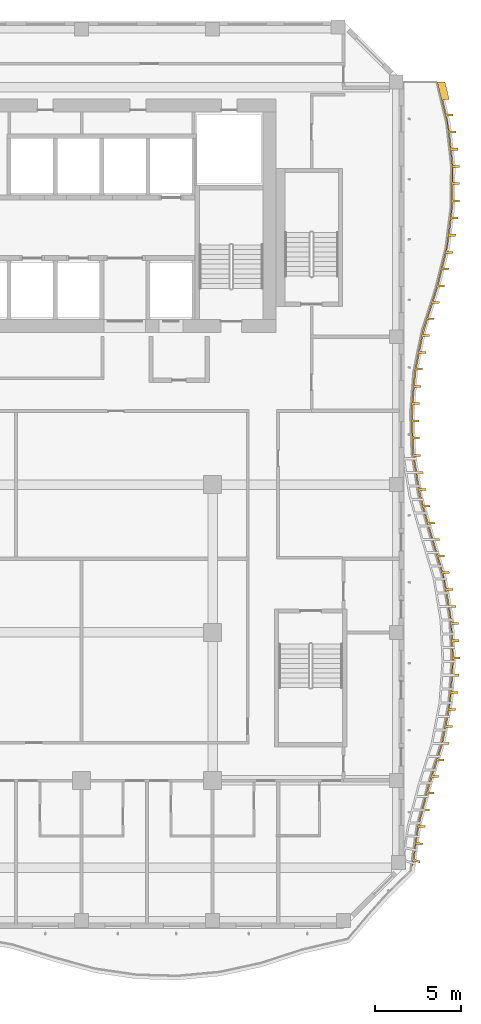
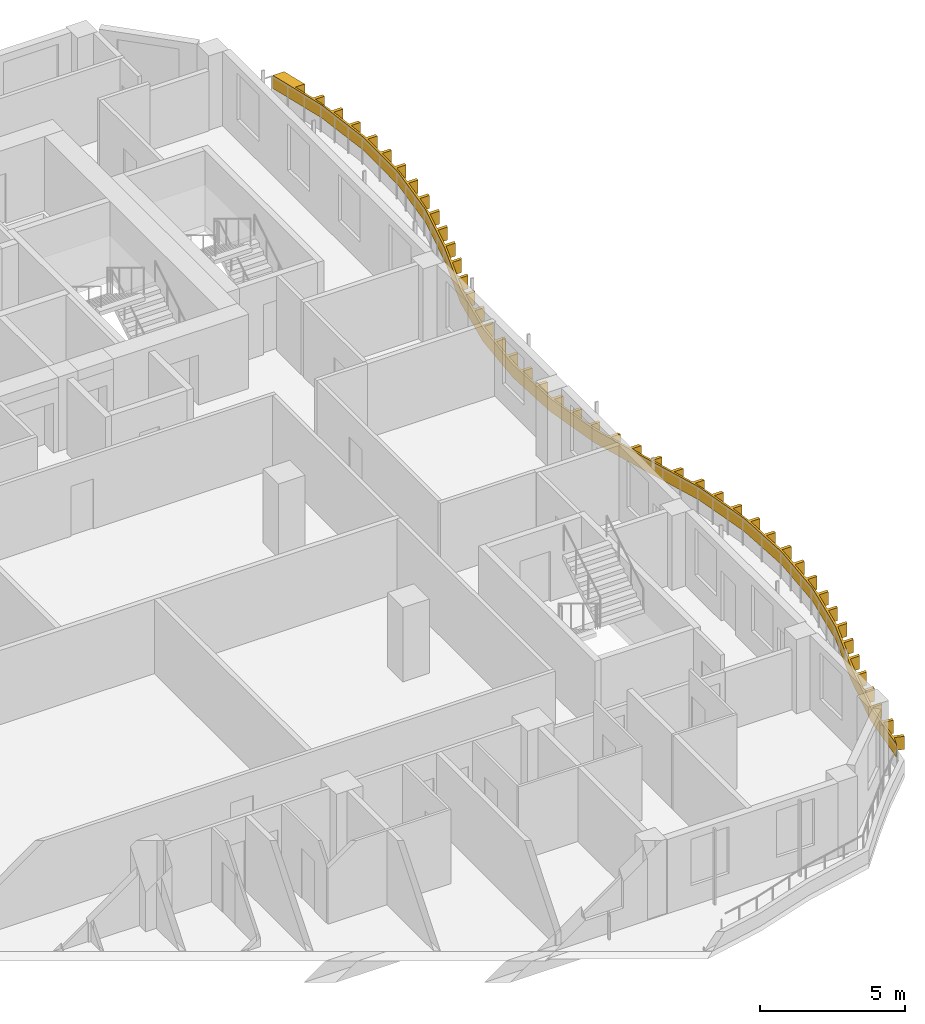
# One storey, part 19 of 22: 1 shading device.
"""IFC4 building model written with IfcOpenShell, lengths in metres."""

from ifc_helpers import new_model, si_unit, direction, frame, origin, place, context, subcontext, project, spatial, polyline, outline, extrude, source, transform, mapped, material, layer, layer_set, type_object, element, save


model = new_model("IFC4")

# Units and contexts
model_context = context("Model", 3, precision=1e-05, world=origin(), true_north=direction((0.0, 1.0)))
body_context = subcontext(model_context, "Body", "Model", "MODEL_VIEW")
ifc_project = project(units=[si_unit("LENGTHUNIT", "METRE"), si_unit("AREAUNIT", "SQUARE_METRE"), si_unit("VOLUMEUNIT", "CUBIC_METRE"), si_unit("PLANEANGLEUNIT", "RADIAN"), si_unit("MASSUNIT", "GRAM", prefix="KILO")], contexts=[model_context])

# Site, building, storey
site_placement = place(None, origin())
site = spatial("IfcSite", under=ifc_project, at=site_placement, CompositionType="ELEMENT")
building_placement = place(site_placement, origin())
building = spatial("IfcBuilding", under=site, at=building_placement, Name="Kilnfold Tower and Market Hall", CompositionType="ELEMENT")
storey_placement = place(building_placement, frame((0.0, 0.0, 188.89990234375)))
storey = spatial("IfcBuildingStorey", under=building, at=storey_placement, Name="L45", CompositionType="ELEMENT", Elevation=188.89990234375)

# Shading device
ifc_material = material(Name="Bronze anodised aluminium", Category="aluminium")
ifc_layer = layer(ifc_material, 0.550048828125)
ifc_layer_set = layer_set([ifc_layer], Name="Bronze anodised aluminium")
shading_device_type = type_object("IfcShadingDeviceType", Name="BRONZE SLAT FASCIA 550", PredefinedType="USERDEFINED", material=ifc_layer_set)
shared_shape = source(origin(), body_context, "Body", "SweptSolid", [
    extrude(outline(polyline([(26.176513671875, -22.467041015625), (25.826904296875, -22.357421875), (25.697509765625, -22.7333984375), (26.02880859375, -20.355224609375), (26.654296875, -17.96044921875), (27.41357421875, -15.56591796875), (27.87744140625, -13.171142578125), (28.048583984375, -10.7763671875), (27.934326171875, -8.381591796875), (27.52978515625, -5.98681640625), (26.816650390625, -3.592041015625), (26.128173828125, -1.197509765625), (25.74658203125, 1.197509765625), (25.654541015625, 3.592041015625), (25.847900390625, 5.98681640625), (26.335205078125, 8.381591796875), (27.105712890625, 10.7763671875), (27.706787109375, 13.171142578125), (28.00732421875, 15.56591796875), (28.020751953125, 17.96044921875), (27.74755859375, 20.355224609375), (27.175537109375, 22.75), (27.62548828125, 22.75), (27.8662109375, 21.742919921875), (27.49609375, 21.742919921875), (27.70068359375, 20.886962890625), (28.070556640625, 20.886962890625), (28.098388671875, 20.770263671875), (27.728515625, 20.770263671875), (27.87890625, 19.90478515625), (28.2490234375, 19.90478515625), (28.2626953125, 19.78564453125), (27.892578125, 19.78564453125), (27.9921875, 18.911376953125), (28.3623046875, 18.911376953125), (28.3759765625, 18.7919921875), (28.005859375, 18.7919921875), (28.1005859375, 17.91748046875), (28.470703125, 17.91748046875), (28.469970703125, 17.797607421875), (28.099853515625, 17.797607421875), (28.094970703125, 16.91748046875), (28.465087890625, 16.91748046875), (28.46435546875, 16.797607421875), (28.09423828125, 16.797607421875), (28.08935546875, 15.91748046875), (28.45947265625, 15.91748046875), (28.458740234375, 15.797607421875), (28.088623046875, 15.797607421875), (28.006591796875, 14.922607421875), (28.376708984375, 14.922607421875), (28.36181640625, 14.803466796875), (27.99169921875, 14.803466796875), (27.882080078125, 13.930419921875), (28.252197265625, 13.930419921875), (28.2373046875, 13.811279296875), (27.8671875, 13.811279296875), (27.729736328125, 12.943359375), (28.099609375, 12.943359375), (28.070556640625, 12.826904296875), (27.700439453125, 12.826904296875), (27.486328125, 11.973388671875), (27.856201171875, 11.973388671875), (27.8271484375, 11.857177734375), (27.45703125, 11.857177734375), (27.242919921875, 11.003662109375), (27.61279296875, 11.003662109375), (27.58349609375, 10.88720703125), (27.213623046875, 10.88720703125), (26.951416015625, 10.04736328125), (27.3212890625, 10.04736328125), (27.284423828125, 9.93310546875), (26.91455078125, 9.93310546875), (26.64501953125, 9.095458984375), (27.014892578125, 9.095458984375), (26.978271484375, 8.981201171875), (26.608154296875, 8.981201171875), (26.365478515625, 8.136474609375), (26.7353515625, 8.136474609375), (26.71142578125, 8.01904296875), (26.341552734375, 8.01904296875), (26.166015625, 7.156494140625), (26.535888671875, 7.156494140625), (26.51220703125, 7.0390625), (26.14208984375, 7.0390625), (25.966552734375, 6.1767578125), (26.336669921875, 6.1767578125), (26.3125, 6.05908203125), (25.942626953125, 6.05908203125), (25.863037109375, 5.18310546875), (26.23291015625, 5.18310546875), (26.223388671875, 5.063720703125), (25.853271484375, 5.063720703125), (25.782470703125, 4.1865234375), (26.152587890625, 4.1865234375), (26.142822265625, 4.06689453125), (25.772705078125, 4.06689453125), (25.75, 3.188720703125), (26.1201171875, 3.188720703125), (26.12451171875, 3.06884765625), (25.754638671875, 3.06884765625), (25.788330078125, 2.189453125), (26.158447265625, 2.189453125), (26.1630859375, 2.069580078125), (25.79296875, 2.069580078125), (25.82763671875, 1.190185546875), (26.197509765625, 1.190185546875), (26.216552734375, 1.07177734375), (25.846435546875, 1.07177734375), (25.985107421875, 0.20263671875), (26.35498046875, 0.20263671875), (26.373779296875, 0.084228515625), (26.00390625, 0.084228515625), (26.142333984375, -0.784912109375), (26.512451171875, -0.784912109375), (26.53125, -0.9033203125), (26.1611328125, -0.9033203125), (26.368896484375, -1.7568359375), (26.739013671875, -1.7568359375), (26.772216796875, -1.872314453125), (26.402099609375, -1.872314453125), (26.645263671875, -2.718017578125), (27.015380859375, -2.718017578125), (27.04833984375, -2.833251953125), (26.678466796875, -2.833251953125), (26.92236328125, -3.6787109375), (27.29248046875, -3.6787109375), (27.32666015625, -3.793701171875), (26.956787109375, -3.793701171875), (27.207763671875, -4.63720703125), (27.577880859375, -4.63720703125), (27.612060546875, -4.752197265625), (27.2421875, -4.752197265625), (27.4931640625, -5.595703125), (27.86328125, -5.595703125), (27.8974609375, -5.710693359375), (27.527587890625, -5.710693359375), (27.708251953125, -6.5703125), (28.078369140625, -6.5703125), (28.098388671875, -6.688720703125), (27.728271484375, -6.688720703125), (27.875, -7.556396484375), (28.244873046875, -7.556396484375), (28.264892578125, -7.6748046875), (27.89501953125, -7.6748046875), (28.022216796875, -8.54443359375), (28.39208984375, -8.54443359375), (28.397705078125, -8.664306640625), (28.02783203125, -8.664306640625), (28.06982421875, -9.54345703125), (28.439697265625, -9.54345703125), (28.445556640625, -9.663330078125), (28.075439453125, -9.663330078125), (28.117431640625, -10.542236328125), (28.4873046875, -10.542236328125), (28.4931640625, -10.662109375), (28.123291015625, -10.662109375), (28.073974609375, -11.5400390625), (28.444091796875, -11.5400390625), (28.435546875, -11.659912109375), (28.0654296875, -11.659912109375), (28.002685546875, -12.53759765625), (28.372802734375, -12.53759765625), (28.3642578125, -12.6572265625), (27.994140625, -12.6572265625), (27.88818359375, -13.529296875), (28.258056640625, -13.529296875), (28.2353515625, -13.647216796875), (27.865234375, -13.647216796875), (27.697998046875, -14.510986328125), (28.06787109375, -14.510986328125), (28.045166015625, -14.62890625), (27.675048828125, -14.62890625), (27.5078125, -15.49267578125), (27.877685546875, -15.49267578125), (27.863525390625, -15.56591796875), (27.849609375, -15.609130859375), (27.479736328125, -15.609130859375), (27.2138671875, -16.447998046875), (27.583740234375, -16.447998046875), (27.547607421875, -16.5625), (27.177490234375, -16.5625), (26.91162109375, -17.4013671875), (27.281494140625, -17.4013671875), (27.2451171875, -17.515625), (26.875244140625, -17.515625), (26.629638671875, -18.360595703125), (26.999755859375, -18.360595703125), (26.969482421875, -18.4765625), (26.599365234375, -18.4765625), (26.376953125, -19.327880859375), (26.7470703125, -19.327880859375), (26.716796875, -19.444091796875), (26.3466796875, -19.444091796875), (26.124267578125, -20.29541015625), (26.494384765625, -20.29541015625), (26.47021484375, -20.4150390625), (26.1005859375, -20.412109375), (25.978759765625, -21.267822265625), (26.341064453125, -21.31787109375), (26.323486328125, -21.441162109375), (25.96240234375, -21.384521484375), (25.843017578125, -22.24072265625), (26.1943359375, -22.343994140625), (26.176513671875, -22.467041015625)])), origin(), (0.0, 0.0, 1.0), 0.550048828125),
])
shading_device_placement = place(storey_placement, frame((0.0, 0.0, 0.550048828125)))
element("IfcShadingDevice", 1, at=shading_device_placement, inside=storey, type_object=shading_device_type, Name="Balcony slat fascia L45", ObjectType="SLAT", PredefinedType="USERDEFINED", context=body_context, shape_type="MappedRepresentation", body=[
    mapped(shared_shape, transform((0.0, 0.0, 0.0))),
])

save(model, "model.ifc")
